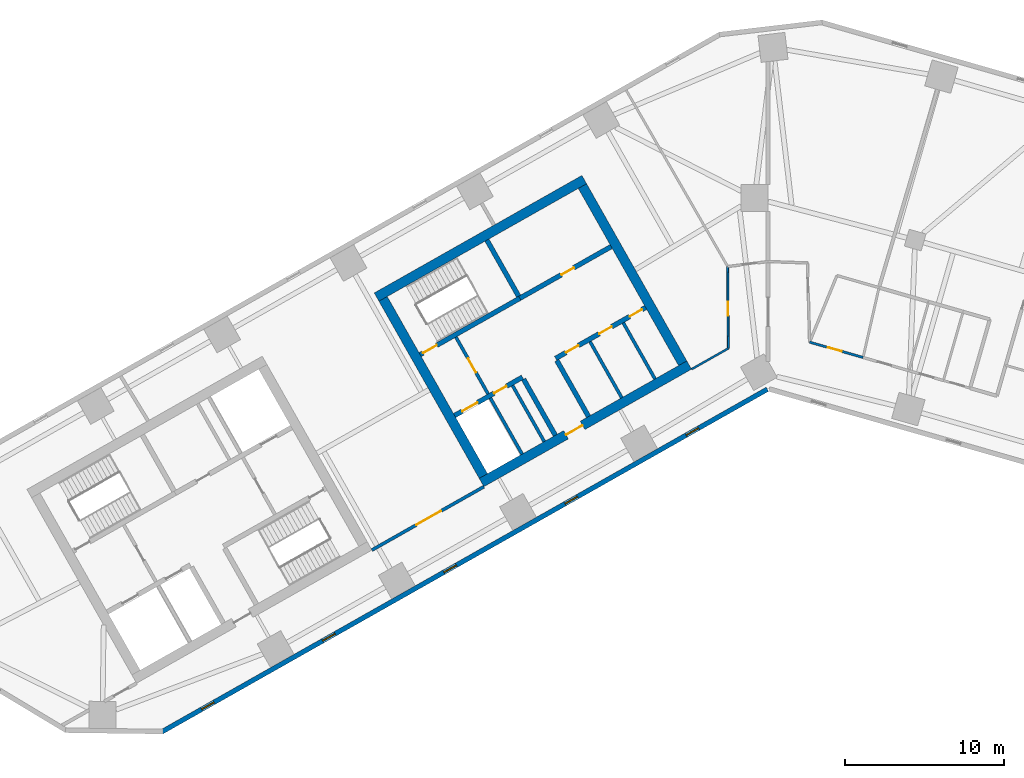
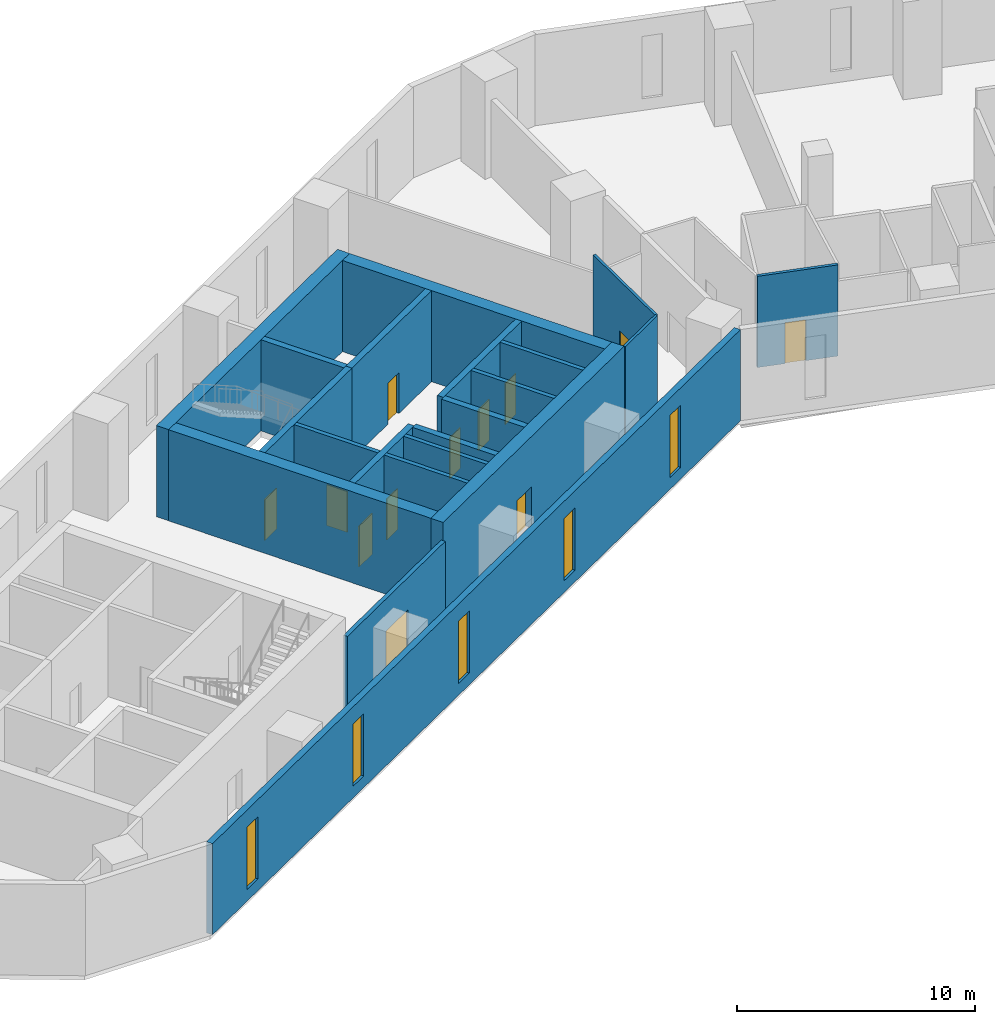
# One storey, part 4 of 10: 21 walls, 12 doors, 5 windows, 17 openings.
"""IFC4 building model written with IfcOpenShell, lengths in metres."""

from ifc_helpers import new_model, si_unit, direction, frame, frame_2d, origin, place, context, subcontext, project, spatial, rectangle, extrude, material, layer, layer_set, type_object, element, fill, save


model = new_model("IFC4")

# Units and contexts
model_context = context("Model", 3, precision=1e-05, world=origin(), true_north=direction((0.0, 1.0)))
body_context = subcontext(model_context, "Body", "Model", "MODEL_VIEW")
ifc_project = project(units=[si_unit("LENGTHUNIT", "METRE"), si_unit("AREAUNIT", "SQUARE_METRE"), si_unit("VOLUMEUNIT", "CUBIC_METRE"), si_unit("PLANEANGLEUNIT", "RADIAN"), si_unit("MASSUNIT", "GRAM", prefix="KILO")], contexts=[model_context])

# Site, building, storey
site_placement = place(None, origin())
site = spatial("IfcSite", under=ifc_project, at=site_placement, CompositionType="ELEMENT")
building_placement = place(site_placement, origin())
building = spatial("IfcBuilding", under=site, at=building_placement, Name="Binnacle Exchange Tower", CompositionType="ELEMENT")
storey_placement = place(building_placement, frame((0.0, 0.0, 81.5)))
storey = spatial("IfcBuildingStorey", under=building, at=storey_placement, Name="L16", CompositionType="ELEMENT", Elevation=81.5)

# Walls
ifc_material_1 = material(Name="Gypsum partition fire rated")
ifc_layer_1 = layer(ifc_material_1, 0.199951171875)
ifc_layer_set_1 = layer_set([ifc_layer_1], Name="Core partition 200")
wall_type_1 = type_object("IfcWallType", Name="Core partition 200", PredefinedType="PARTITIONING", material=ifc_layer_set_1)
wall_1_placement = place(storey_placement, frame((-11.201904296875, 50.96240234375, 0.0), z_axis=(0.0, 0.0, 1.0), x_axis=(0.49241474071, -0.870360685654, 0.0)))
element("IfcWall", 1, at=wall_1_placement, inside=storey, type_object=wall_type_1, Name="Core wall CRWC19", PredefinedType="PARTITIONING", context=body_context, shape_type="SweptSolid", body=[
    extrude(rectangle(XDim=4.05029296875, YDim=0.199951171875, at=frame_2d((2.025146484375, 0.0))), origin(), (0.0, 0.0, 1.0), 4.679931640625),
])
wall_2_placement = place(storey_placement, frame((-9.11279296875, 52.14404296875, 0.0), z_axis=(0.0, 0.0, 1.0), x_axis=(0.492394910396, -0.870371904542, 0.0)))
element("IfcWall", 2, at=wall_2_placement, inside=storey, type_object=wall_type_1, Name="Core wall CRWC22", PredefinedType="PARTITIONING", context=body_context, shape_type="SweptSolid", body=[
    extrude(rectangle(XDim=4.0498046875, YDim=0.199951171875, at=frame_2d((2.02490234375, 0.0))), origin(), (0.0, 0.0, 1.0), 4.679931640625),
])

# Wall, openings, doors
ifc_material_2 = material(Name="Concrete C70/85", Category="concrete")
ifc_layer_2 = layer(ifc_material_2, 0.300048828125)
ifc_layer_set_2 = layer_set([ifc_layer_2], Name="Core wall - front 300")
wall_type_2 = type_object("IfcWallType", Name="Core wall - front 300", PredefinedType="SOLIDWALL", material=ifc_layer_set_2)
wall_3_placement = place(storey_placement, frame((-19.718017578125, 46.31640625, 0.0), z_axis=(0.0, 0.0, 1.0), x_axis=(0.870353963862, 0.492426621528, 0.0)))
wall_3 = element("IfcWall", 3, at=wall_3_placement, inside=storey, type_object=wall_type_2, Name="Core wall CRWC2", PredefinedType="SOLIDWALL", context=body_context, shape_type="SweptSolid", body=[
    extrude(rectangle(XDim=4.89990234375, YDim=0.300048828125, at=frame_2d((2.449951171875, 0.0))), origin(), (0.0, 0.0, 1.0), 4.679931640625),
])
opening_1_placement = place(wall_3_placement, frame((0.550048828125, 0.0, 0.0)))
opening_1 = element("IfcOpeningElement", 4, at=opening_1_placement, cuts=wall_3, Name="Opening LD14", PredefinedType="OPENING", context=body_context, shape_type="SweptSolid", body=[
    extrude(rectangle(XDim=1.10009765625, YDim=2.10009765625, at=frame_2d((0.550048828125, 1.050048828125))), frame((0.0, 0.159912109375, 0.0), z_axis=(0.0, -1.0, 0.0), x_axis=(1.0, 0.0, 0.0)), (0.0, 0.0, 1.0), 0.320068359375),
])
opening_2_placement = place(wall_3_placement, frame((2.85009765625, 0.0, 0.0)))
opening_2 = element("IfcOpeningElement", 5, at=opening_2_placement, cuts=wall_3, Name="Opening DC14", PredefinedType="OPENING", context=body_context, shape_type="SweptSolid", body=[
    extrude(rectangle(XDim=0.89990234375, YDim=2.10009765625, at=frame_2d((0.449951171875, 1.050048828125))), frame((0.0, 0.159912109375, 0.0), z_axis=(0.0, -1.0, 0.0), x_axis=(1.0, 0.0, 0.0)), (0.0, 0.0, 1.0), 0.320068359375),
])
ifc_material_3 = material(Name="Steel door leaf", Category="steel")
door_type_1 = type_object("IfcDoorType", Name="Fire door - lift landing 1100", OperationType="NOTDEFINED", PredefinedType="DOOR", material=ifc_material_3)
door_1_placement = place(opening_1_placement, origin())
door_1 = element("IfcDoor", 6, at=door_1_placement, inside=storey, type_object=door_type_1, Name="Landing door LD14 L16", OperationType="DOUBLE_DOOR_SLIDING", OverallHeight=2.10009765625, OverallWidth=1.10009765625, PredefinedType="DOOR", context=body_context, shape_type="SweptSolid", body=[
    extrude(rectangle(XDim=1.10009765625, YDim=2.10009765625, at=frame_2d((0.550048828125, 1.050048828125))), frame((0.0, 0.02490234375, 0.0), z_axis=(0.0, -1.0, 0.0), x_axis=(1.0, 0.0, 0.0)), (0.0, 0.0, 1.0), 0.050048828125),
])
fill(opening_1, door_1)
door_type_2 = type_object("IfcDoorType", Name="Fire door 900", OperationType="NOTDEFINED", PredefinedType="DOOR", material=ifc_material_3)
door_2_placement = place(opening_2_placement, frame((0.89990234375, 0.0, 0.0), z_axis=(0.0, 0.0, 1.0), x_axis=(-1.0, 0.0, 0.0)))
door_2 = element("IfcDoor", 7, at=door_2_placement, inside=storey, type_object=door_type_2, Name="Core room door CLEANERS STORE", OperationType="SINGLE_SWING_LEFT", OverallHeight=2.10009765625, OverallWidth=0.89990234375, PredefinedType="DOOR", context=body_context, shape_type="SweptSolid", body=[
    extrude(rectangle(XDim=0.89990234375, YDim=2.10009765625, at=frame_2d((0.449951171875, 1.050048828125))), frame((0.0, 0.02490234375, 0.0), z_axis=(0.0, -1.0, 0.0), x_axis=(1.0, 0.0, 0.0)), (0.0, 0.0, 1.0), 0.050048828125),
])
fill(opening_2, door_2)

wall_4_placement = place(storey_placement, frame((-13.364501953125, 49.910888671875, 0.0), z_axis=(0.0, 0.0, 1.0), x_axis=(0.870340995471, 0.49244954219, 0.0)))
wall_4 = element("IfcWall", 8, at=wall_4_placement, inside=storey, type_object=wall_type_2, Name="Core wall CRWC3", PredefinedType="SOLIDWALL", context=body_context, shape_type="SweptSolid", body=[
    extrude(rectangle(XDim=6.5, YDim=0.300048828125, at=frame_2d((3.25, 0.0))), origin(), (0.0, 0.0, 1.0), 4.679931640625),
])
opening_3_placement = place(wall_4_placement, frame((0.75, 0.0, 0.0)))
opening_3 = element("IfcOpeningElement", 9, at=opening_3_placement, cuts=wall_4, Name="Opening DC18", PredefinedType="OPENING", context=body_context, shape_type="SweptSolid", body=[
    extrude(rectangle(XDim=0.89990234375, YDim=2.10009765625, at=frame_2d((0.449951171875, 1.050048828125))), frame((0.0, 0.159912109375, 0.0), z_axis=(0.0, -1.0, 0.0), x_axis=(1.0, 0.0, 0.0)), (0.0, 0.0, 1.0), 0.320068359375),
])
opening_4_placement = place(wall_4_placement, frame((3.14990234375, 0.0, 0.0)))
opening_4 = element("IfcOpeningElement", 10, at=opening_4_placement, cuts=wall_4, Name="Opening DC19", PredefinedType="OPENING", context=body_context, shape_type="SweptSolid", body=[
    extrude(rectangle(XDim=0.89990234375, YDim=2.10009765625, at=frame_2d((0.449951171875, 1.050048828125))), frame((0.0, 0.159912109375, 0.0), z_axis=(0.0, -1.0, 0.0), x_axis=(1.0, 0.0, 0.0)), (0.0, 0.0, 1.0), 0.320068359375),
])
opening_5_placement = place(wall_4_placement, frame((5.35009765625, 0.0, 0.0)))
opening_5 = element("IfcOpeningElement", 11, at=opening_5_placement, cuts=wall_4, Name="Opening DC20", PredefinedType="OPENING", context=body_context, shape_type="SweptSolid", body=[
    extrude(rectangle(XDim=0.89990234375, YDim=2.10009765625, at=frame_2d((0.449951171875, 1.050048828125))), frame((0.0, 0.159912109375, 0.0), z_axis=(0.0, -1.0, 0.0), x_axis=(1.0, 0.0, 0.0)), (0.0, 0.0, 1.0), 0.320068359375),
])
door_3_placement = place(opening_3_placement, frame((0.89990234375, 0.0, 0.0), z_axis=(0.0, 0.0, 1.0), x_axis=(-1.0, 0.0, 0.0)))
door_3 = element("IfcDoor", 12, at=door_3_placement, inside=storey, type_object=door_type_2, Name="Core room door IT STORE", OperationType="SINGLE_SWING_RIGHT", OverallHeight=2.10009765625, OverallWidth=0.89990234375, PredefinedType="DOOR", context=body_context, shape_type="SweptSolid", body=[
    extrude(rectangle(XDim=0.89990234375, YDim=2.10009765625, at=frame_2d((0.449951171875, 1.050048828125))), frame((0.0, 0.02490234375, 0.0), z_axis=(0.0, -1.0, 0.0), x_axis=(1.0, 0.0, 0.0)), (0.0, 0.0, 1.0), 0.050048828125),
])
fill(opening_3, door_3)
door_4_placement = place(opening_4_placement, frame((0.89990234375, 0.0, 0.0), z_axis=(0.0, 0.0, 1.0), x_axis=(-1.0, 0.0, 0.0)))
door_4 = element("IfcDoor", 13, at=door_4_placement, inside=storey, type_object=door_type_2, Name="Core room door UPS CUPBOARD", OperationType="SINGLE_SWING_LEFT", OverallHeight=2.10009765625, OverallWidth=0.89990234375, PredefinedType="DOOR", context=body_context, shape_type="SweptSolid", body=[
    extrude(rectangle(XDim=0.89990234375, YDim=2.10009765625, at=frame_2d((0.449951171875, 1.050048828125))), frame((0.0, 0.02490234375, 0.0), z_axis=(0.0, -1.0, 0.0), x_axis=(1.0, 0.0, 0.0)), (0.0, 0.0, 1.0), 0.050048828125),
])
fill(opening_4, door_4)
door_5_placement = place(opening_5_placement, frame((0.89990234375, 0.0, 0.0), z_axis=(0.0, 0.0, 1.0), x_axis=(-1.0, 0.0, 0.0)))
door_5 = element("IfcDoor", 14, at=door_5_placement, inside=storey, type_object=door_type_2, Name="Core room door FIBRE ENTRY ROOM", OperationType="SINGLE_SWING_LEFT", OverallHeight=2.10009765625, OverallWidth=0.89990234375, PredefinedType="DOOR", context=body_context, shape_type="SweptSolid", body=[
    extrude(rectangle(XDim=0.89990234375, YDim=2.10009765625, at=frame_2d((0.449951171875, 1.050048828125))), frame((0.0, 0.02490234375, 0.0), z_axis=(0.0, -1.0, 0.0), x_axis=(1.0, 0.0, 0.0)), (0.0, 0.0, 1.0), 0.050048828125),
])
fill(opening_5, door_5)

# Wall, opening, door
wall_5_placement = place(storey_placement, frame((-15.6181640625, 53.69140625, 0.0), z_axis=(0.0, 0.0, 1.0), x_axis=(0.870356769198, 0.492421663121, 0.0)))
wall_5 = element("IfcWall", 15, at=wall_5_placement, inside=storey, type_object=wall_type_2, Name="Core wall CRWC5", PredefinedType="SOLIDWALL", context=body_context, shape_type="SweptSolid", body=[
    extrude(rectangle(XDim=6.60009765625, YDim=0.300048828125, at=frame_2d((3.300048828125, 0.0))), origin(), (0.0, 0.0, 1.0), 4.679931640625),
])
opening_6_placement = place(wall_5_placement, frame((3.0, 0.0, 0.0)))
opening_6 = element("IfcOpeningElement", 16, at=opening_6_placement, cuts=wall_5, Name="Opening DC10", PredefinedType="OPENING", context=body_context, shape_type="SweptSolid", body=[
    extrude(rectangle(XDim=0.89990234375, YDim=2.10009765625, at=frame_2d((0.449951171875, 1.050048828125))), frame((0.0, 0.159912109375, 0.0), z_axis=(0.0, -1.0, 0.0), x_axis=(1.0, 0.0, 0.0)), (0.0, 0.0, 1.0), 0.320068359375),
])
door_6_placement = place(opening_6_placement, origin())
door_6 = element("IfcDoor", 17, at=door_6_placement, inside=storey, type_object=door_type_2, Name="Core room door STAFF PANTRY AND STORE", OperationType="SINGLE_SWING_RIGHT", OverallHeight=2.10009765625, OverallWidth=0.89990234375, PredefinedType="DOOR", context=body_context, shape_type="SweptSolid", body=[
    extrude(rectangle(XDim=0.89990234375, YDim=2.10009765625, at=frame_2d((0.449951171875, 1.050048828125))), frame((0.0, 0.02490234375, 0.0), z_axis=(0.0, -1.0, 0.0), x_axis=(1.0, 0.0, 0.0)), (0.0, 0.0, 1.0), 0.050048828125),
])
fill(opening_6, door_6)

# Walls
for number, where, z_axis, x_axis, name in (
    (18, (-15.37939453125, 48.5986328125, 0.0), (0.0, 0.0, 1.0), (0.492394910396, -0.870371904542, 0.0), "Core wall CRWC13"),
    (19, (-13.29052734375, 49.780517578125, 0.0), (0.0, 0.0, 1.0), (0.492394910396, -0.870371904542, 0.0), "Core wall CRWC15"),
):
    element("IfcWall", number, at=place(storey_placement, frame(where, z_axis=z_axis, x_axis=x_axis)), inside=storey, type_object=wall_type_2, Name=name, PredefinedType="SOLIDWALL", context=body_context, shape_type="SweptSolid", body=[
        extrude(rectangle(XDim=4.0498046875, YDim=0.300048828125, at=frame_2d((2.02490234375, 0.0))), origin(), (0.0, 0.0, 1.0), 4.679931640625),
    ])

# Wall, opening, door
ifc_layer_3 = layer(ifc_material_2, 0.60009765625)
ifc_layer_set_3 = layer_set([ifc_layer_3], Name="Core wall - outer 600")
wall_type_3 = type_object("IfcWallType", Name="Core wall - outer 600", PredefinedType="SOLIDWALL", material=ifc_layer_set_3)
wall_6_placement = place(storey_placement, frame((-18.0244140625, 42.104248046875, 0.0), z_axis=(0.0, 0.0, 1.0), x_axis=(0.870360574057, 0.492414937962, 0.0)))
wall_6 = element("IfcWall", 20, at=wall_6_placement, inside=storey, type_object=wall_type_3, Name="Core wall CRWC1", PredefinedType="SOLIDWALL", context=body_context, shape_type="SweptSolid", body=[
    extrude(rectangle(XDim=15.0, YDim=0.60009765625, at=frame_2d((7.5, 0.0))), origin(), (0.0, 0.0, 1.0), 4.679931640625),
])
opening_7_placement = place(wall_6_placement, frame((6.10009765625, 0.0, 0.0)))
opening_7 = element("IfcOpeningElement", 21, at=opening_7_placement, cuts=wall_6, Name="Opening DC7", PredefinedType="OPENING", context=body_context, shape_type="SweptSolid", body=[
    extrude(rectangle(XDim=1.199951171875, YDim=2.10009765625, at=frame_2d((0.60009765625, 1.050048828125))), frame((0.0, 0.31005859375, 0.0), z_axis=(0.0, -1.0, 0.0), x_axis=(1.0, 0.0, 0.0)), (0.0, 0.0, 1.0), 0.6201171875),
])
door_type_3 = type_object("IfcDoorType", Name="Fire door 1200", OperationType="NOTDEFINED", PredefinedType="DOOR", material=ifc_material_3)
door_7_placement = place(opening_7_placement, frame((1.199951171875, 0.0, 0.0), z_axis=(0.0, 0.0, 1.0), x_axis=(-1.0, 0.0, 0.0)))
door_7 = element("IfcDoor", 22, at=door_7_placement, inside=storey, type_object=door_type_3, Name="Lift lobby entrance door core C", OperationType="SINGLE_SWING_RIGHT", OverallHeight=2.10009765625, OverallWidth=1.199951171875, PredefinedType="DOOR", context=body_context, shape_type="SweptSolid", body=[
    extrude(rectangle(XDim=1.199951171875, YDim=2.10009765625, at=frame_2d((0.60009765625, 1.050048828125))), frame((0.0, 0.02490234375, 0.0), z_axis=(0.0, -1.0, 0.0), x_axis=(1.0, 0.0, 0.0)), (0.0, 0.0, 1.0), 0.050048828125),
])
fill(opening_7, door_7)

# Walls
wall_7_placement = place(storey_placement, frame((-24.622802734375, 53.76708984375, 0.0), z_axis=(0.0, 0.0, 1.0), x_axis=(0.870356627484, 0.492421913601, 0.0)))
element("IfcWall", 23, at=wall_7_placement, inside=storey, type_object=wall_type_3, Name="Core wall CRWC6", PredefinedType="SOLIDWALL", context=body_context, shape_type="SweptSolid", body=[
    extrude(rectangle(XDim=14.999755859375, YDim=0.60009765625, at=frame_2d((7.5, 0.0))), origin(), (0.0, 0.0, 1.0), 4.679931640625),
])
wall_8_placement = place(storey_placement, frame((-24.214111328125, 53.653564453125, 0.0), z_axis=(0.0, 0.0, 1.0), x_axis=(0.492441221355, -0.870345703448, 0.0)))
element("IfcWall", 24, at=wall_8_placement, inside=storey, type_object=wall_type_3, Name="Core wall CRWC7", PredefinedType="SOLIDWALL", context=body_context, shape_type="SweptSolid", body=[
    extrude(rectangle(XDim=12.800048828125, YDim=0.60009765625, at=frame_2d((6.39990234375, 0.0))), origin(), (0.0, 0.0, 1.0), 4.679931640625),
])
wall_9_placement = place(storey_placement, frame((-11.680908203125, 60.744384765625, 0.0), z_axis=(0.0, 0.0, 1.0), x_axis=(0.492426772896, -0.870353878221, 0.0)))
element("IfcWall", 25, at=wall_9_placement, inside=storey, type_object=wall_type_3, Name="Core wall CRWC24", PredefinedType="SOLIDWALL", context=body_context, shape_type="SweptSolid", body=[
    extrude(rectangle(XDim=12.7998046875, YDim=0.60009765625, at=frame_2d((6.39990234375, 0.0))), origin(), (0.0, 0.0, 1.0), 4.679931640625),
])

# Wall, opening, door
ifc_layer_4 = layer(ifc_material_2, 0.300048828125)
ifc_layer_set_4 = layer_set([ifc_layer_4], Name="Core wall - stair 300")
wall_type_4 = type_object("IfcWallType", Name="Core wall - stair 300", PredefinedType="SOLIDWALL", material=ifc_layer_set_4)
wall_10_placement = place(storey_placement, frame((-21.884765625, 50.14599609375, 0.0), z_axis=(0.0, 0.0, 1.0), x_axis=(0.870359411463, 0.492416992881, 0.0)))
wall_10 = element("IfcWall", 26, at=wall_10_placement, inside=storey, type_object=wall_type_4, Name="Core wall CRWC4", PredefinedType="SOLIDWALL", context=body_context, shape_type="SweptSolid", body=[
    extrude(rectangle(XDim=7.199951171875, YDim=0.300048828125, at=frame_2d((3.60009765625, 0.0))), origin(), (0.0, 0.0, 1.0), 4.679931640625),
])
opening_8_placement = place(wall_10_placement, frame((0.199951171875, 0.0, 0.0)))
opening_8 = element("IfcOpeningElement", 27, at=opening_8_placement, cuts=wall_10, Name="Opening DC1", PredefinedType="OPENING", context=body_context, shape_type="SweptSolid", body=[
    extrude(rectangle(XDim=1.0, YDim=2.10009765625, at=frame_2d((0.5, 1.050048828125))), frame((0.0, 0.159912109375, 0.0), z_axis=(0.0, -1.0, 0.0), x_axis=(1.0, 0.0, 0.0)), (0.0, 0.0, 1.0), 0.320068359375),
])
door_type_4 = type_object("IfcDoorType", Name="Fire door 1000", OperationType="NOTDEFINED", PredefinedType="DOOR", material=ifc_material_3)
door_8_placement = place(opening_8_placement, origin())
door_8 = element("IfcDoor", 28, at=door_8_placement, inside=storey, type_object=door_type_4, Name="Stair door ST-C1", OperationType="SINGLE_SWING_LEFT", OverallHeight=2.10009765625, OverallWidth=1.0, PredefinedType="DOOR", context=body_context, shape_type="SweptSolid", body=[
    extrude(rectangle(XDim=1.0, YDim=2.10009765625, at=frame_2d((0.5, 1.050048828125))), frame((0.0, 0.02490234375, 0.0), z_axis=(0.0, -1.0, 0.0), x_axis=(1.0, 0.0, 0.0)), (0.0, 0.0, 1.0), 0.050048828125),
])
fill(opening_8, door_8)

# Wall
wall_11_placement = place(storey_placement, frame((-17.686279296875, 57.3466796875, 0.0), z_axis=(0.0, 0.0, 1.0), x_axis=(0.492420746998, -0.870357287513, 0.0)))
element("IfcWall", 29, at=wall_11_placement, inside=storey, type_object=wall_type_4, Name="Core wall CRWC14", PredefinedType="SOLIDWALL", context=body_context, shape_type="SweptSolid", body=[
    extrude(rectangle(XDim=4.049560546875, YDim=0.300048828125, at=frame_2d((2.02490234375, 0.0))), origin(), (0.0, 0.0, 1.0), 4.679931640625),
])

# Wall, openings, windows
ifc_material_4 = material(Name="Bronze aluminium cladding", Category="aluminium")
ifc_layer_5 = layer(ifc_material_4, 0.300048828125)
ifc_layer_set_5 = layer_set([ifc_layer_5], Name="External wall - spandrel 300")
wall_type_5 = type_object("IfcWallType", Name="External wall - spandrel 300", PredefinedType="STANDARD", material=ifc_layer_set_5)
wall_12_placement = place(storey_placement, frame((-0.0546875, 47.968994140625, 0.0), z_axis=(0.0, 0.0, 1.0), x_axis=(-0.870355730478, -0.492423499058, 0.0)))
wall_12 = element("IfcWall", 30, at=wall_12_placement, inside=storey, type_object=wall_type_5, Name="External wall EW-F07 L16", PredefinedType="STANDARD", context=body_context, shape_type="SweptSolid", body=[
    extrude(rectangle(XDim=43.750244140625, YDim=0.300048828125, at=frame_2d((21.875, 0.0))), origin(), (0.0, 0.0, 1.0), 4.679931640625),
])
opening_9_placement = place(wall_12_placement, frame((39.976806640625, 0.0, 0.60009765625)))
opening_9 = element("IfcOpeningElement", 31, at=opening_9_placement, cuts=wall_12, Name="Opening WS1", PredefinedType="OPENING", context=body_context, shape_type="SweptSolid", body=[
    extrude(rectangle(XDim=0.89990234375, YDim=3.199951171875, at=frame_2d((0.449951171875, 1.60009765625))), frame((0.0, 0.159912109375, 0.0), z_axis=(0.0, -1.0, 0.0), x_axis=(1.0, 0.0, 0.0)), (0.0, 0.0, 1.0), 0.320068359375),
])
opening_10_placement = place(wall_12_placement, frame((31.222412109375, 0.0, 0.60009765625)))
opening_10 = element("IfcOpeningElement", 32, at=opening_10_placement, cuts=wall_12, Name="Opening WS1", PredefinedType="OPENING", context=body_context, shape_type="SweptSolid", body=[
    extrude(rectangle(XDim=0.89990234375, YDim=3.199951171875, at=frame_2d((0.449951171875, 1.60009765625))), frame((0.0, 0.159912109375, 0.0), z_axis=(0.0, -1.0, 0.0), x_axis=(1.0, 0.0, 0.0)), (0.0, 0.0, 1.0), 0.320068359375),
])
opening_11_placement = place(wall_12_placement, frame((22.4677734375, 0.0, 0.60009765625)))
opening_11 = element("IfcOpeningElement", 33, at=opening_11_placement, cuts=wall_12, Name="Opening WS1", PredefinedType="OPENING", context=body_context, shape_type="SweptSolid", body=[
    extrude(rectangle(XDim=0.89990234375, YDim=3.199951171875, at=frame_2d((0.449951171875, 1.60009765625))), frame((0.0, 0.159912109375, 0.0), z_axis=(0.0, -1.0, 0.0), x_axis=(1.0, 0.0, 0.0)), (0.0, 0.0, 1.0), 0.320068359375),
])
opening_12_placement = place(wall_12_placement, frame((13.713134765625, 0.0, 0.60009765625)))
opening_12 = element("IfcOpeningElement", 34, at=opening_12_placement, cuts=wall_12, Name="Opening WS1", PredefinedType="OPENING", context=body_context, shape_type="SweptSolid", body=[
    extrude(rectangle(XDim=0.89990234375, YDim=3.199951171875, at=frame_2d((0.449951171875, 1.60009765625))), frame((0.0, 0.159912109375, 0.0), z_axis=(0.0, -1.0, 0.0), x_axis=(1.0, 0.0, 0.0)), (0.0, 0.0, 1.0), 0.320068359375),
])
opening_13_placement = place(wall_12_placement, frame((4.958740234375, 0.0, 0.60009765625)))
opening_13 = element("IfcOpeningElement", 35, at=opening_13_placement, cuts=wall_12, Name="Opening WS1", PredefinedType="OPENING", context=body_context, shape_type="SweptSolid", body=[
    extrude(rectangle(XDim=0.89990234375, YDim=3.199951171875, at=frame_2d((0.449951171875, 1.60009765625))), frame((0.0, 0.159912109375, 0.0), z_axis=(0.0, -1.0, 0.0), x_axis=(1.0, 0.0, 0.0)), (0.0, 0.0, 1.0), 0.320068359375),
])
ifc_material_5 = material(Name="Bronze anodised aluminium frame", Category="aluminium")
window_type = type_object("IfcWindowType", Name="WS1 WINDOW 900x3200", PartitioningType="SINGLE_PANEL", PredefinedType="WINDOW", material=ifc_material_5)
window_1_placement = place(opening_9_placement, origin())
window_1 = element("IfcWindow", 36, at=window_1_placement, inside=storey, type_object=window_type, Name="Window WS1 L16", OverallHeight=3.199951171875, OverallWidth=0.89990234375, PartitioningType="SINGLE_PANEL", PredefinedType="WINDOW", context=body_context, shape_type="SweptSolid", body=[
    extrude(rectangle(XDim=0.89990234375, YDim=3.199951171875, at=frame_2d((0.449951171875, 1.60009765625))), frame((0.0, 0.030029296875, 0.0), z_axis=(0.0, -1.0, 0.0), x_axis=(1.0, 0.0, 0.0)), (0.0, 0.0, 1.0), 0.06005859375),
])
fill(opening_9, window_1)
window_2_placement = place(opening_10_placement, origin())
window_2 = element("IfcWindow", 37, at=window_2_placement, inside=storey, type_object=window_type, Name="Window WS1 L16", OverallHeight=3.199951171875, OverallWidth=0.89990234375, PartitioningType="SINGLE_PANEL", PredefinedType="WINDOW", context=body_context, shape_type="SweptSolid", body=[
    extrude(rectangle(XDim=0.89990234375, YDim=3.199951171875, at=frame_2d((0.449951171875, 1.60009765625))), frame((0.0, 0.030029296875, 0.0), z_axis=(0.0, -1.0, 0.0), x_axis=(1.0, 0.0, 0.0)), (0.0, 0.0, 1.0), 0.06005859375),
])
fill(opening_10, window_2)
window_3_placement = place(opening_11_placement, origin())
window_3 = element("IfcWindow", 38, at=window_3_placement, inside=storey, type_object=window_type, Name="Window WS1 L16", OverallHeight=3.199951171875, OverallWidth=0.89990234375, PartitioningType="SINGLE_PANEL", PredefinedType="WINDOW", context=body_context, shape_type="SweptSolid", body=[
    extrude(rectangle(XDim=0.89990234375, YDim=3.199951171875, at=frame_2d((0.449951171875, 1.60009765625))), frame((0.0, 0.030029296875, 0.0), z_axis=(0.0, -1.0, 0.0), x_axis=(1.0, 0.0, 0.0)), (0.0, 0.0, 1.0), 0.06005859375),
])
fill(opening_11, window_3)
window_4_placement = place(opening_12_placement, origin())
window_4 = element("IfcWindow", 39, at=window_4_placement, inside=storey, type_object=window_type, Name="Window WS1 L16", OverallHeight=3.199951171875, OverallWidth=0.89990234375, PartitioningType="SINGLE_PANEL", PredefinedType="WINDOW", context=body_context, shape_type="SweptSolid", body=[
    extrude(rectangle(XDim=0.89990234375, YDim=3.199951171875, at=frame_2d((0.449951171875, 1.60009765625))), frame((0.0, 0.030029296875, 0.0), z_axis=(0.0, -1.0, 0.0), x_axis=(1.0, 0.0, 0.0)), (0.0, 0.0, 1.0), 0.06005859375),
])
fill(opening_12, window_4)
window_5_placement = place(opening_13_placement, origin())
window_5 = element("IfcWindow", 40, at=window_5_placement, inside=storey, type_object=window_type, Name="Window WS1 L16", OverallHeight=3.199951171875, OverallWidth=0.89990234375, PartitioningType="SINGLE_PANEL", PredefinedType="WINDOW", context=body_context, shape_type="SweptSolid", body=[
    extrude(rectangle(XDim=0.89990234375, YDim=3.199951171875, at=frame_2d((0.449951171875, 1.60009765625))), frame((0.0, 0.030029296875, 0.0), z_axis=(0.0, -1.0, 0.0), x_axis=(1.0, 0.0, 0.0)), (0.0, 0.0, 1.0), 0.06005859375),
])
fill(opening_13, window_5)

# Wall, opening, door
ifc_material_6 = material(Name="Masonry block wall", Category="masonry")
ifc_layer_6 = layer(ifc_material_6, 0.199951171875)
ifc_layer_set_6 = layer_set([ifc_layer_6], Name="Fire wall - block 200")
wall_type_6 = type_object("IfcWallType", Name="Fire wall - block 200", PredefinedType="PARTITIONING", material=ifc_layer_set_6)
wall_13_placement = place(storey_placement, frame((-24.9189453125, 37.85888671875, 0.0), z_axis=(0.0, 0.0, 1.0), x_axis=(0.870357635969, 0.492420131098, 0.0)))
wall_13 = element("IfcWall", 41, at=wall_13_placement, inside=storey, type_object=wall_type_6, Name="Partition W04", PredefinedType="PARTITIONING", context=body_context, shape_type="SweptSolid", body=[
    extrude(rectangle(XDim=8.0908203125, YDim=0.199951171875, at=frame_2d((4.04541015625, 0.0))), origin(), (0.0, 0.0, 1.0), 3.748046875),
])
opening_14_placement = place(wall_13_placement, frame((3.199951171875, 0.0, 0.0)))
opening_14 = element("IfcOpeningElement", 42, at=opening_14_placement, cuts=wall_13, Name="Opening DL16-02", PredefinedType="OPENING", context=body_context, shape_type="SweptSolid", body=[
    extrude(rectangle(XDim=1.800048828125, YDim=2.10009765625, at=frame_2d((0.89990234375, 1.050048828125))), frame((0.0, 0.10986328125, 0.0), z_axis=(0.0, -1.0, 0.0), x_axis=(1.0, 0.0, 0.0)), (0.0, 0.0, 1.0), 0.219970703125),
])
door_type_5 = type_object("IfcDoorType", Name="Fire door 1800", OperationType="NOTDEFINED", PredefinedType="DOOR", material=ifc_material_3)
door_9_placement = place(opening_14_placement, origin())
door_9 = element("IfcDoor", 43, at=door_9_placement, inside=storey, type_object=door_type_5, Name="Door DL16-02", OperationType="DOUBLE_DOOR_SINGLE_SWING", OverallHeight=2.10009765625, OverallWidth=1.800048828125, PredefinedType="DOOR", context=body_context, shape_type="SweptSolid", body=[
    extrude(rectangle(XDim=1.800048828125, YDim=2.10009765625, at=frame_2d((0.89990234375, 1.050048828125))), frame((0.0, 0.02490234375, 0.0), z_axis=(0.0, -1.0, 0.0), x_axis=(1.0, 0.0, 0.0)), (0.0, 0.0, 1.0), 0.050048828125),
])
fill(opening_14, door_9)

ifc_layer_7 = layer(ifc_material_6, 0.199951171875)
ifc_layer_set_7 = layer_set([ifc_layer_7], Name="Fire wall - vestibule 200")
wall_type_7 = type_object("IfcWallType", Name="Fire wall - vestibule 200", PredefinedType="PARTITIONING", material=ifc_layer_set_7)
wall_14_placement = place(storey_placement, frame((-19.635009765625, 51.246337890625, 0.0), z_axis=(0.0, 0.0, 1.0), x_axis=(0.492408451753, -0.87036424366, 0.0)))
wall_14 = element("IfcWall", 44, at=wall_14_placement, inside=storey, type_object=wall_type_7, Name="Core wall CRWC10", PredefinedType="PARTITIONING", context=body_context, shape_type="SweptSolid", body=[
    extrude(rectangle(XDim=4.099853515625, YDim=0.199951171875, at=frame_2d((2.0498046875, 0.0))), origin(), (0.0, 0.0, 1.0), 4.679931640625),
])
opening_15_placement = place(wall_14_placement, frame((1.550048828125, 0.0, 0.0)))
opening_15 = element("IfcOpeningElement", 45, at=opening_15_placement, cuts=wall_14, Name="Opening DC3", PredefinedType="OPENING", context=body_context, shape_type="SweptSolid", body=[
    extrude(rectangle(XDim=1.0, YDim=2.10009765625, at=frame_2d((0.5, 1.050048828125))), frame((0.0, 0.10986328125, 0.0), z_axis=(0.0, -1.0, 0.0), x_axis=(1.0, 0.0, 0.0)), (0.0, 0.0, 1.0), 0.219970703125),
])
door_10_placement = place(opening_15_placement, frame((1.0, 0.0, 0.0), z_axis=(0.0, 0.0, 1.0), x_axis=(-1.0, 0.0, 0.0)))
door_10 = element("IfcDoor", 46, at=door_10_placement, inside=storey, type_object=door_type_4, Name="Vestibule door VEST-W", OperationType="SINGLE_SWING_RIGHT", OverallHeight=2.10009765625, OverallWidth=1.0, PredefinedType="DOOR", context=body_context, shape_type="SweptSolid", body=[
    extrude(rectangle(XDim=1.0, YDim=2.10009765625, at=frame_2d((0.5, 1.050048828125))), frame((0.0, 0.02490234375, 0.0), z_axis=(0.0, -1.0, 0.0), x_axis=(1.0, 0.0, 0.0)), (0.0, 0.0, 1.0), 0.050048828125),
])
fill(opening_15, door_10)

ifc_layer_8 = layer(ifc_material_1, 0.14990234375)
ifc_layer_set_8 = layer_set([ifc_layer_8], Name="Fire-rated partition 150")
wall_type_8 = type_object("IfcWallType", Name="Fire-rated partition 150", PredefinedType="PARTITIONING", material=ifc_layer_set_8)
wall_15_placement = place(storey_placement, frame((2.60107421875, 50.931884765625, 0.0), z_axis=(0.0, 0.0, 1.0), x_axis=(0.961265606965, -0.27562371608, 0.0)))
wall_15 = element("IfcWall", 47, at=wall_15_placement, inside=storey, type_object=wall_type_8, Name="Partition W16", PredefinedType="PARTITIONING", context=body_context, shape_type="SweptSolid", body=[
    extrude(rectangle(XDim=3.50048828125, YDim=0.14990234375, at=frame_2d((1.750244140625, 0.0))), origin(), (0.0, 0.0, 1.0), 4.679931640625),
])
opening_16_placement = place(wall_15_placement, frame((1.199951171875, 0.0, 0.0)))
opening_16 = element("IfcOpeningElement", 48, at=opening_16_placement, cuts=wall_15, Name="Opening DL16-05", PredefinedType="OPENING", context=body_context, shape_type="SweptSolid", body=[
    extrude(rectangle(XDim=0.89990234375, YDim=2.10009765625, at=frame_2d((0.449951171875, 1.050048828125))), frame((0.0, 0.0849609375, 0.0), z_axis=(0.0, -1.0, 0.0), x_axis=(1.0, 0.0, 0.0)), (0.0, 0.0, 1.0), 0.169921875),
])
door_11_placement = place(opening_16_placement, origin())
door_11 = element("IfcDoor", 49, at=door_11_placement, inside=storey, type_object=door_type_2, Name="Door DL16-05", OperationType="SINGLE_SWING_LEFT", OverallHeight=2.10009765625, OverallWidth=0.89990234375, PredefinedType="DOOR", context=body_context, shape_type="SweptSolid", body=[
    extrude(rectangle(XDim=0.89990234375, YDim=2.10009765625, at=frame_2d((0.449951171875, 1.050048828125))), frame((0.0, 0.02490234375, 0.0), z_axis=(0.0, -1.0, 0.0), x_axis=(1.0, 0.0, 0.0)), (0.0, 0.0, 1.0), 0.050048828125),
])
fill(opening_16, door_11)

# Wall
ifc_material_7 = material(Name="Gypsum partition")
ifc_layer_9 = layer(ifc_material_7, 0.125)
ifc_layer_set_9 = layer_set([ifc_layer_9], Name="Partition 125")
wall_type_9 = type_object("IfcWallType", Name="Partition 125", PredefinedType="PARTITIONING", material=ifc_layer_set_9)
wall_16_placement = place(storey_placement, frame((-4.821044921875, 49.22998046875, 0.0), z_axis=(0.0, 0.0, 1.0), x_axis=(0.870371217631, 0.492396124598, 0.0)))
element("IfcWall", 50, at=wall_16_placement, inside=storey, type_object=wall_type_9, Name="Partition W07", PredefinedType="PARTITIONING", context=body_context, shape_type="SweptSolid", body=[
    extrude(rectangle(XDim=2.65869140625, YDim=0.125, at=frame_2d((1.329345703125, 0.0))), origin(), (0.0, 0.0, 1.0), 4.679931640625),
])

# Wall, opening, door
wall_17_placement = place(storey_placement, frame((-2.547119140625, 55.68701171875, 0.0), z_axis=(0.0, 0.0, 1.0), x_axis=(0.007777437156, -0.999969755278, 0.0)))
wall_17 = element("IfcWall", 51, at=wall_17_placement, inside=storey, type_object=wall_type_9, Name="Partition W08", PredefinedType="PARTITIONING", context=body_context, shape_type="SweptSolid", body=[
    extrude(rectangle(XDim=5.148193359375, YDim=0.125, at=frame_2d((2.57421875, 0.0))), origin(), (0.0, 0.0, 1.0), 4.679931640625),
])
opening_17_placement = place(wall_17_placement, frame((2.199951171875, 0.0, 0.0)))
opening_17 = element("IfcOpeningElement", 52, at=opening_17_placement, cuts=wall_17, Name="Opening DL16-03", PredefinedType="OPENING", context=body_context, shape_type="SweptSolid", body=[
    extrude(rectangle(XDim=0.89990234375, YDim=2.10009765625, at=frame_2d((0.449951171875, 1.050048828125))), frame((0.0, 0.072509765625, 0.0), z_axis=(0.0, -1.0, 0.0), x_axis=(1.0, 0.0, 0.0)), (0.0, 0.0, 1.0), 0.14501953125),
])
ifc_material_8 = material(Name="Timber door leaf", Category="wood")
door_type_6 = type_object("IfcDoorType", Name="Door 900", OperationType="NOTDEFINED", PredefinedType="DOOR", material=ifc_material_8)
door_12_placement = place(opening_17_placement, frame((0.89990234375, 0.0, 0.0), z_axis=(0.0, 0.0, 1.0), x_axis=(-1.0, 0.0, 0.0)))
door_12 = element("IfcDoor", 53, at=door_12_placement, inside=storey, type_object=door_type_6, Name="Door DL16-03", OperationType="SINGLE_SWING_LEFT", OverallHeight=2.10009765625, OverallWidth=0.89990234375, PredefinedType="DOOR", context=body_context, shape_type="SweptSolid", body=[
    extrude(rectangle(XDim=0.89990234375, YDim=2.10009765625, at=frame_2d((0.449951171875, 1.050048828125))), frame((0.0, 0.02490234375, 0.0), z_axis=(0.0, -1.0, 0.0), x_axis=(1.0, 0.0, 0.0)), (0.0, 0.0, 1.0), 0.050048828125),
])
fill(opening_17, door_12)

# Walls
ifc_layer_10 = layer(ifc_material_6, 0.199951171875)
ifc_layer_set_10 = layer_set([ifc_layer_10], Name="Riser wall 200")
wall_type_10 = type_object("IfcWallType", Name="Riser wall 200", PredefinedType="SOLIDWALL", material=ifc_layer_set_10)
wall_18_placement = place(storey_placement, frame((-16.07568359375, 48.20458984375, 0.0), z_axis=(0.0, 0.0, 1.0), x_axis=(0.492394910396, -0.870371904542, 0.0)))
element("IfcWall", 54, at=wall_18_placement, inside=storey, type_object=wall_type_10, Name="Core wall CRWC12", PredefinedType="SOLIDWALL", context=body_context, shape_type="SweptSolid", body=[
    extrude(rectangle(XDim=4.0498046875, YDim=0.199951171875, at=frame_2d((2.02490234375, 0.0))), origin(), (0.0, 0.0, 1.0), 4.679931640625),
])
ifc_layer_11 = layer(ifc_material_6, 0.199951171875)
ifc_layer_set_11 = layer_set([ifc_layer_11], Name="Shaft wall 200")
wall_type_11 = type_object("IfcWallType", Name="Shaft wall 200", PredefinedType="SOLIDWALL", material=ifc_layer_set_11)
wall_19_placement = place(storey_placement, frame((-17.468505859375, 47.416748046875, 0.0), z_axis=(0.0, 0.0, 1.0), x_axis=(0.492440575896, -0.870346068648, 0.0)))
element("IfcWall", 55, at=wall_19_placement, inside=storey, type_object=wall_type_11, Name="Core wall CRWC9", PredefinedType="SOLIDWALL", context=body_context, shape_type="SweptSolid", body=[
    extrude(rectangle(XDim=4.050048828125, YDim=0.199951171875, at=frame_2d((2.02490234375, 0.0))), origin(), (0.0, 0.0, 1.0), 4.679931640625),
])

save(model, "model.ifc")
